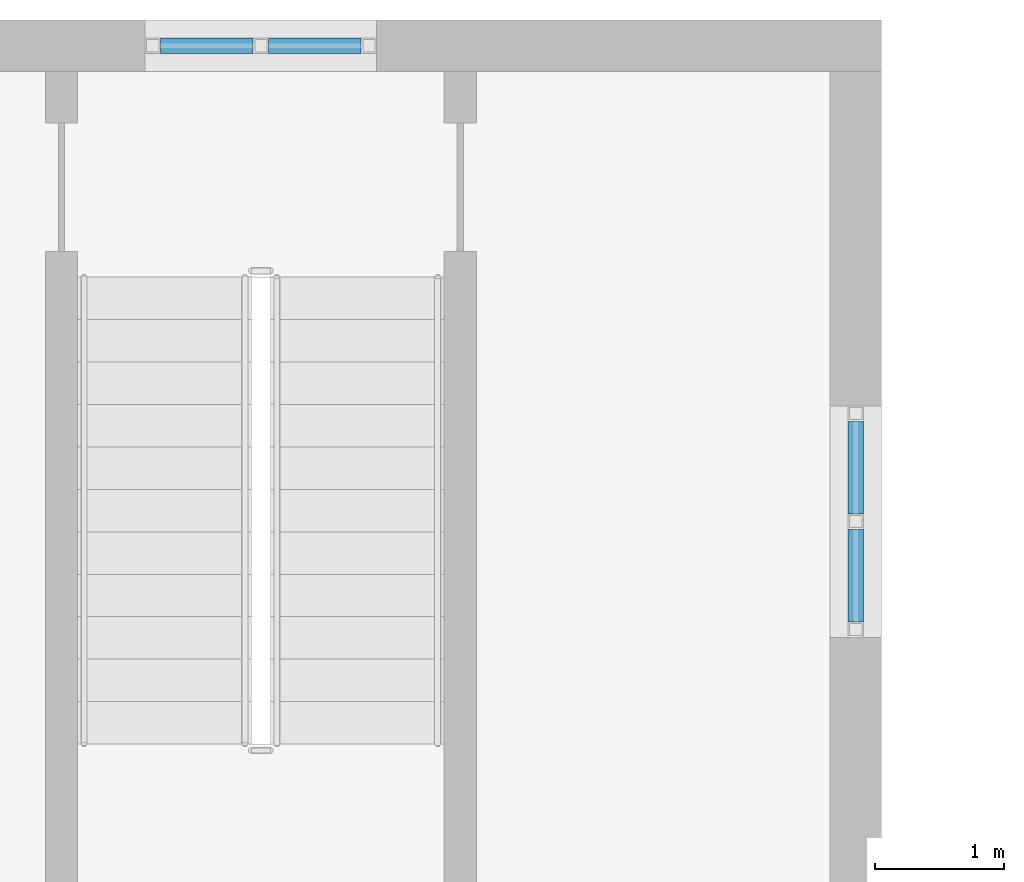
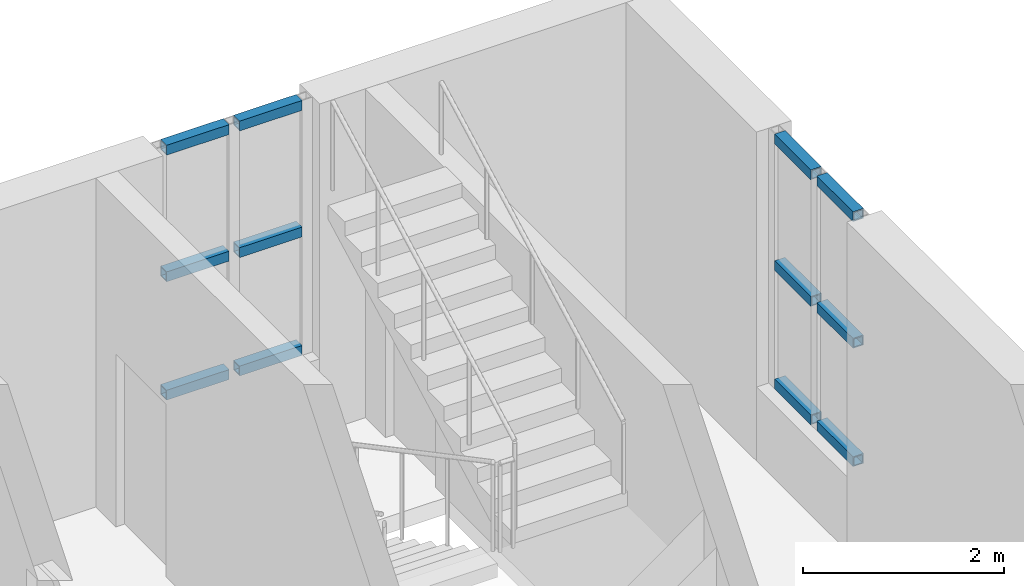
# One storey, part 81 of 154: 12 members, 2 elements without a shape of their own.
"""IFC4 building model written with IfcOpenShell, lengths in metres."""

from ifc_helpers import new_model, si_unit, direction, frame, origin, origin_2d, place, context, subcontext, project, spatial, hollow_rectangle, extrude, material, material_profile, profile_set, type_object, element, aggregate, save


model = new_model("IFC4")

# Units and contexts
model_context = context("Model", 3, precision=1e-05, world=origin(), true_north=direction((0.0, 1.0)))
body_context = subcontext(model_context, "Body", "Model", "MODEL_VIEW")
ifc_project = project(units=[si_unit("LENGTHUNIT", "METRE"), si_unit("AREAUNIT", "SQUARE_METRE"), si_unit("VOLUMEUNIT", "CUBIC_METRE"), si_unit("PLANEANGLEUNIT", "RADIAN"), si_unit("MASSUNIT", "GRAM", prefix="KILO")], contexts=[model_context])

# Site, building, storey
site_placement = place(None, origin())
site = spatial("IfcSite", under=ifc_project, at=site_placement, CompositionType="ELEMENT")
building_placement = place(site_placement, origin())
building = spatial("IfcBuilding", under=site, at=building_placement, Name="Golden Quay Civic Hall", CompositionType="ELEMENT")
storey_placement = place(building_placement, frame((0.0, 0.0, 14.39990234375)))
storey = spatial("IfcBuildingStorey", under=building, at=storey_placement, Name="L03", CompositionType="ELEMENT", Elevation=14.39990234375)

# Curtain wall, members
ifc_material_1 = material(Name="Fire-resisting glass and steel", Category="steel")
curtain_wall_type = type_object("IfcCurtainWallType", Name="Fire-resisting glazed stair curtain wall EI 120", PredefinedType="NOTDEFINED", material=ifc_material_1)
curtain_wall_1_placement = place(storey_placement, origin())
curtain_wall_1 = element("IfcCurtainWall", 1, at=curtain_wall_1_placement, inside=storey, type_object=curtain_wall_type, Name="CW4 stair curtain wall", PredefinedType="NOTDEFINED")
ifc_material_2 = material(Name="Steel S355", Category="steel")
ifc_material_profile = material_profile(ifc_material_2, hollow_rectangle(XDim=0.1201171875, YDim=0.1201171875, WallThickness=0.012451171875, at=origin_2d()), Name="SHS 120x120x12.5")
ifc_profile_set = profile_set([ifc_material_profile], Name="Steel S355")
member_type = type_object("IfcMemberType", Name="Fire-resisting steel stair transom 120 x 120", PredefinedType="USERDEFINED", material=ifc_profile_set)
member_1_placement = place(storey_placement, frame((102.594970703125, 108.0, 0.960205078125), z_axis=(1.0, 0.0, 0.0), x_axis=(0.0, 1.0, 0.0)))
member_1 = element("IfcMember", 2, at=member_1_placement, type_object=member_type, Name="CW4 transom 1.1", ObjectType="TRANSOM", PredefinedType="USERDEFINED", context=body_context, shape_type="SweptSolid", body=[
    extrude(hollow_rectangle(XDim=0.1201171875, YDim=0.1201171875, WallThickness=0.012451171875, at=origin_2d()), origin(), (0.0, 0.0, 1.0), 0.719970703125),
])
member_2_placement = place(storey_placement, frame((102.594970703125, 108.0, 2.400146484375), z_axis=(1.0, 0.0, 0.0), x_axis=(0.0, 1.0, 0.0)))
member_2 = element("IfcMember", 3, at=member_2_placement, type_object=member_type, Name="CW4 transom 1.2", ObjectType="TRANSOM", PredefinedType="USERDEFINED", context=body_context, shape_type="SweptSolid", body=[
    extrude(hollow_rectangle(XDim=0.1201171875, YDim=0.1201171875, WallThickness=0.012451171875, at=origin_2d()), origin(), (0.0, 0.0, 1.0), 0.719970703125),
])
member_3_placement = place(storey_placement, frame((102.594970703125, 108.0, 3.940185546875), z_axis=(1.0, 0.0, 0.0), x_axis=(0.0, 1.0, 0.0)))
member_3 = element("IfcMember", 4, at=member_3_placement, type_object=member_type, Name="CW4 transom 1.3", ObjectType="TRANSOM", PredefinedType="USERDEFINED", context=body_context, shape_type="SweptSolid", body=[
    extrude(hollow_rectangle(XDim=0.1201171875, YDim=0.1201171875, WallThickness=0.012451171875, at=origin_2d()), origin(), (0.0, 0.0, 1.0), 0.719970703125),
])
member_4_placement = place(storey_placement, frame((103.43505859375, 108.0, 0.960205078125), z_axis=(1.0, 0.0, 0.0), x_axis=(0.0, 1.0, 0.0)))
member_4 = element("IfcMember", 5, at=member_4_placement, type_object=member_type, Name="CW4 transom 2.1", ObjectType="TRANSOM", PredefinedType="USERDEFINED", context=body_context, shape_type="SweptSolid", body=[
    extrude(hollow_rectangle(XDim=0.1201171875, YDim=0.1201171875, WallThickness=0.012451171875, at=origin_2d()), origin(), (0.0, 0.0, 1.0), 0.719970703125),
])
member_5_placement = place(storey_placement, frame((103.43505859375, 108.0, 2.400146484375), z_axis=(1.0, 0.0, 0.0), x_axis=(0.0, 1.0, 0.0)))
member_5 = element("IfcMember", 6, at=member_5_placement, type_object=member_type, Name="CW4 transom 2.2", ObjectType="TRANSOM", PredefinedType="USERDEFINED", context=body_context, shape_type="SweptSolid", body=[
    extrude(hollow_rectangle(XDim=0.1201171875, YDim=0.1201171875, WallThickness=0.012451171875, at=origin_2d()), origin(), (0.0, 0.0, 1.0), 0.719970703125),
])
member_6_placement = place(storey_placement, frame((103.43505859375, 108.0, 3.940185546875), z_axis=(1.0, 0.0, 0.0), x_axis=(0.0, 1.0, 0.0)))
member_6 = element("IfcMember", 7, at=member_6_placement, type_object=member_type, Name="CW4 transom 2.3", ObjectType="TRANSOM", PredefinedType="USERDEFINED", context=body_context, shape_type="SweptSolid", body=[
    extrude(hollow_rectangle(XDim=0.1201171875, YDim=0.1201171875, WallThickness=0.012451171875, at=origin_2d()), origin(), (0.0, 0.0, 1.0), 0.719970703125),
])
aggregate(curtain_wall_1, [member_1, member_2, member_3, member_4, member_5, member_6])

curtain_wall_2_placement = place(storey_placement, origin())
curtain_wall_2 = element("IfcCurtainWall", 8, at=curtain_wall_2_placement, inside=storey, type_object=curtain_wall_type, Name="CW4 stair curtain wall", PredefinedType="NOTDEFINED")
member_7_placement = place(storey_placement, frame((108.0, 103.52001953125, 0.960205078125), z_axis=(0.0, 1.0, 0.0), x_axis=(-1.0, 0.0, 0.0)))
member_7 = element("IfcMember", 9, at=member_7_placement, type_object=member_type, Name="CW4 transom 1.1", ObjectType="TRANSOM", PredefinedType="USERDEFINED", context=body_context, shape_type="SweptSolid", body=[
    extrude(hollow_rectangle(XDim=0.1201171875, YDim=0.1201171875, WallThickness=0.012451171875, at=origin_2d()), origin(), (0.0, 0.0, 1.0), 0.719970703125),
])
member_8_placement = place(storey_placement, frame((108.0, 103.52001953125, 2.400146484375), z_axis=(0.0, 1.0, 0.0), x_axis=(-1.0, 0.0, 0.0)))
member_8 = element("IfcMember", 10, at=member_8_placement, type_object=member_type, Name="CW4 transom 1.2", ObjectType="TRANSOM", PredefinedType="USERDEFINED", context=body_context, shape_type="SweptSolid", body=[
    extrude(hollow_rectangle(XDim=0.1201171875, YDim=0.1201171875, WallThickness=0.012451171875, at=origin_2d()), origin(), (0.0, 0.0, 1.0), 0.719970703125),
])
member_9_placement = place(storey_placement, frame((108.0, 103.52001953125, 3.940185546875), z_axis=(0.0, 1.0, 0.0), x_axis=(-1.0, 0.0, 0.0)))
member_9 = element("IfcMember", 11, at=member_9_placement, type_object=member_type, Name="CW4 transom 1.3", ObjectType="TRANSOM", PredefinedType="USERDEFINED", context=body_context, shape_type="SweptSolid", body=[
    extrude(hollow_rectangle(XDim=0.1201171875, YDim=0.1201171875, WallThickness=0.012451171875, at=origin_2d()), origin(), (0.0, 0.0, 1.0), 0.719970703125),
])
member_10_placement = place(storey_placement, frame((108.0, 104.360107421875, 0.960205078125), z_axis=(0.0, 1.0, 0.0), x_axis=(-1.0, 0.0, 0.0)))
member_10 = element("IfcMember", 12, at=member_10_placement, type_object=member_type, Name="CW4 transom 2.1", ObjectType="TRANSOM", PredefinedType="USERDEFINED", context=body_context, shape_type="SweptSolid", body=[
    extrude(hollow_rectangle(XDim=0.1201171875, YDim=0.1201171875, WallThickness=0.012451171875, at=origin_2d()), origin(), (0.0, 0.0, 1.0), 0.719970703125),
])
member_11_placement = place(storey_placement, frame((108.0, 104.360107421875, 2.400146484375), z_axis=(0.0, 1.0, 0.0), x_axis=(-1.0, 0.0, 0.0)))
member_11 = element("IfcMember", 13, at=member_11_placement, type_object=member_type, Name="CW4 transom 2.2", ObjectType="TRANSOM", PredefinedType="USERDEFINED", context=body_context, shape_type="SweptSolid", body=[
    extrude(hollow_rectangle(XDim=0.1201171875, YDim=0.1201171875, WallThickness=0.012451171875, at=origin_2d()), origin(), (0.0, 0.0, 1.0), 0.719970703125),
])
member_12_placement = place(storey_placement, frame((108.0, 104.360107421875, 3.940185546875), z_axis=(0.0, 1.0, 0.0), x_axis=(-1.0, 0.0, 0.0)))
member_12 = element("IfcMember", 14, at=member_12_placement, type_object=member_type, Name="CW4 transom 2.3", ObjectType="TRANSOM", PredefinedType="USERDEFINED", context=body_context, shape_type="SweptSolid", body=[
    extrude(hollow_rectangle(XDim=0.1201171875, YDim=0.1201171875, WallThickness=0.012451171875, at=origin_2d()), origin(), (0.0, 0.0, 1.0), 0.719970703125),
])
aggregate(curtain_wall_2, [member_7, member_8, member_9, member_10, member_11, member_12])

save(model, "model.ifc")
